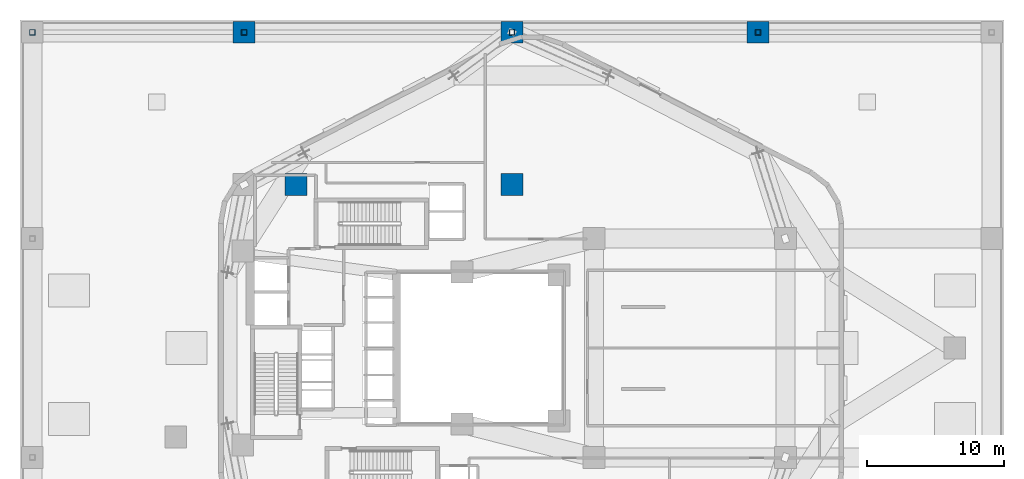
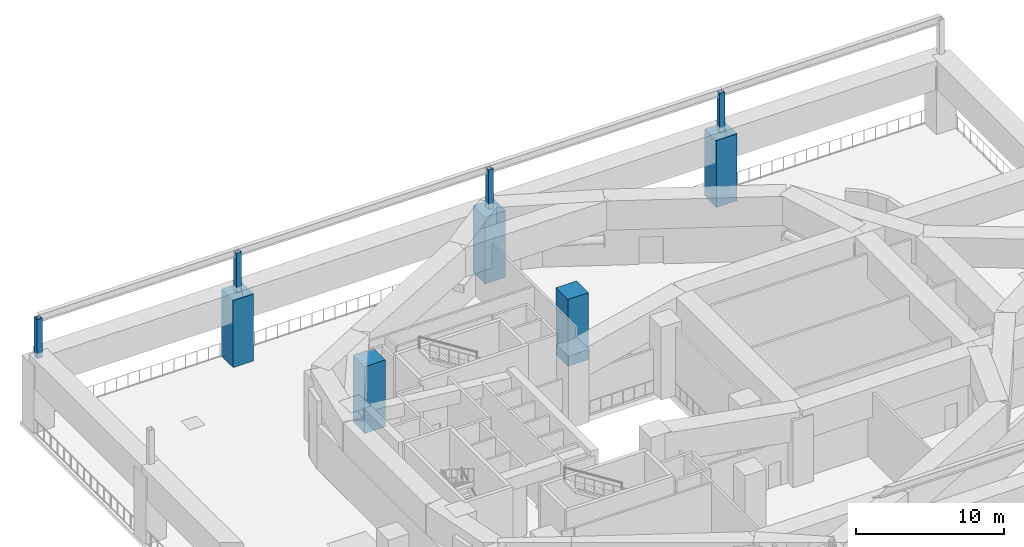
# One storey, part 3 of 15: 9 columns.
"""IFC4 building model written with IfcOpenShell, lengths in metres."""

from ifc_helpers import new_model, si_unit, direction, frame, origin, origin_2d, place, context, subcontext, project, spatial, rectangle, hollow_rectangle, extrude, material, material_profile, profile_set, type_object, element, save


model = new_model("IFC4")

# Units and contexts
model_context = context("Model", 3, precision=1e-05, world=origin(), true_north=direction((0.0, 1.0)))
body_context = subcontext(model_context, "Body", "Model", "MODEL_VIEW")
ifc_project = project(units=[si_unit("LENGTHUNIT", "METRE"), si_unit("AREAUNIT", "SQUARE_METRE"), si_unit("VOLUMEUNIT", "CUBIC_METRE"), si_unit("PLANEANGLEUNIT", "RADIAN"), si_unit("MASSUNIT", "GRAM", prefix="KILO"), si_unit("THERMODYNAMICTEMPERATUREUNIT", "KELVIN"), si_unit("POWERUNIT", "WATT")], contexts=[model_context])

# Site, building, storey
site_placement = place(None, origin())
site = spatial("IfcSite", under=ifc_project, at=site_placement, CompositionType="ELEMENT")
building_placement = place(site_placement, origin())
building = spatial("IfcBuilding", under=site, at=building_placement, Name="Skarre Station Tower", CompositionType="ELEMENT")
storey_placement = place(building_placement, frame((0.0, 0.0, 21.0)))
storey = spatial("IfcBuildingStorey", under=building, at=storey_placement, Name="L05", CompositionType="ELEMENT", Elevation=21.0)

# Columns
ifc_material_1 = material(Name="Concrete C70/85", Category="concrete")
ifc_material_profile_1 = material_profile(ifc_material_1, rectangle(XDim=1.60009765625, YDim=1.60009765625, at=origin_2d()), Name="Concrete C70/85")
ifc_profile_set_1 = profile_set([ifc_material_profile_1], Name="Concrete C70/85")
column_type_1 = type_object("IfcColumnType", Name="RC Structural Column RC-COL-1600X1600", PredefinedType="COLUMN", material=ifc_profile_set_1)
for number, where, z_axis, x_axis, name in (
    (1, (16.39990234375, 47.10009765625, 0.0), (0.0, 0.0, 1.0), (1.0, 0.0, 0.0), "L05 Station Concourse Mega-Column PM08"),
    (2, (36.0, 47.10009765625, 0.0), (0.0, 0.0, 1.0), (1.0, 0.0, 0.0), "L05 Station Concourse Mega-Column PM09"),
    (3, (54.0, 47.10009765625, 0.0), (0.0, 0.0, 1.0), (1.0, 0.0, 0.0), "L05 Station Concourse Mega-Column PM10"),
    (4, (20.199951171875, 35.949951171875, 0.0), (0.0, 0.0, 1.0), (1.0, 0.0, 0.0), "L05 Station Concourse Mega-Column PM21"),
    (5, (36.0, 35.949951171875, 0.0), (0.0, 0.0, 1.0), (1.0, 0.0, 0.0), "L05 Station Concourse Mega-Column PM26"),
):
    element("IfcColumn", number, at=place(storey_placement, frame(where, z_axis=z_axis, x_axis=x_axis)), inside=storey, type_object=column_type_1, Name=name, PredefinedType="COLUMN", context=body_context, shape_type="SweptSolid", body=[
        extrude(rectangle(XDim=1.60009765625, YDim=1.60009765625, at=origin_2d()), origin(), (0.0, 0.0, 1.0), 5.5),
    ])
ifc_material_2 = material(Name="Steel ASTM A500 Grade C", Category="steel")
ifc_material_profile_2 = material_profile(ifc_material_2, hollow_rectangle(XDim=0.39990234375, YDim=0.39990234375, WallThickness=0.02197265625, at=origin_2d()), Name="Steel ASTM A500 Grade C")
ifc_profile_set_2 = profile_set([ifc_material_profile_2], Name="Steel ASTM A500 Grade C")
column_type_2 = type_object("IfcColumnType", Name="Steel Strut HSS400X400X22", PredefinedType="USERDEFINED", material=ifc_profile_set_2)
for number, where, z_axis, x_axis, name in (
    (6, (0.89990234375, 47.10009765625, 5.550048828125), (0.0, 0.0, 1.0), (1.0, 0.0, 0.0), "L05 Podium Terrace Pergola Strut Post 3"),
    (7, (16.39990234375, 47.10009765625, 5.550048828125), (0.0, 0.0, 1.0), (1.0, 0.0, 0.0), "L05 Podium Terrace Pergola Strut Post 8"),
    (8, (36.0, 47.10009765625, 5.550048828125), (0.0, 0.0, 1.0), (1.0, 0.0, 0.0), "L05 Podium Terrace Pergola Strut Post 9"),
    (9, (54.0, 47.10009765625, 5.550048828125), (0.0, 0.0, 1.0), (1.0, 0.0, 0.0), "L05 Podium Terrace Pergola Strut Post 10"),
):
    element("IfcColumn", number, at=place(storey_placement, frame(where, z_axis=z_axis, x_axis=x_axis)), inside=storey, type_object=column_type_2, Name=name, ObjectType="STRUT", PredefinedType="USERDEFINED", context=body_context, shape_type="SweptSolid", body=[
        extrude(hollow_rectangle(XDim=0.39990234375, YDim=0.39990234375, WallThickness=0.02197265625, at=origin_2d()), origin(), (0.0, 0.0, 1.0), 3.25),
    ])

save(model, "model.ifc")
